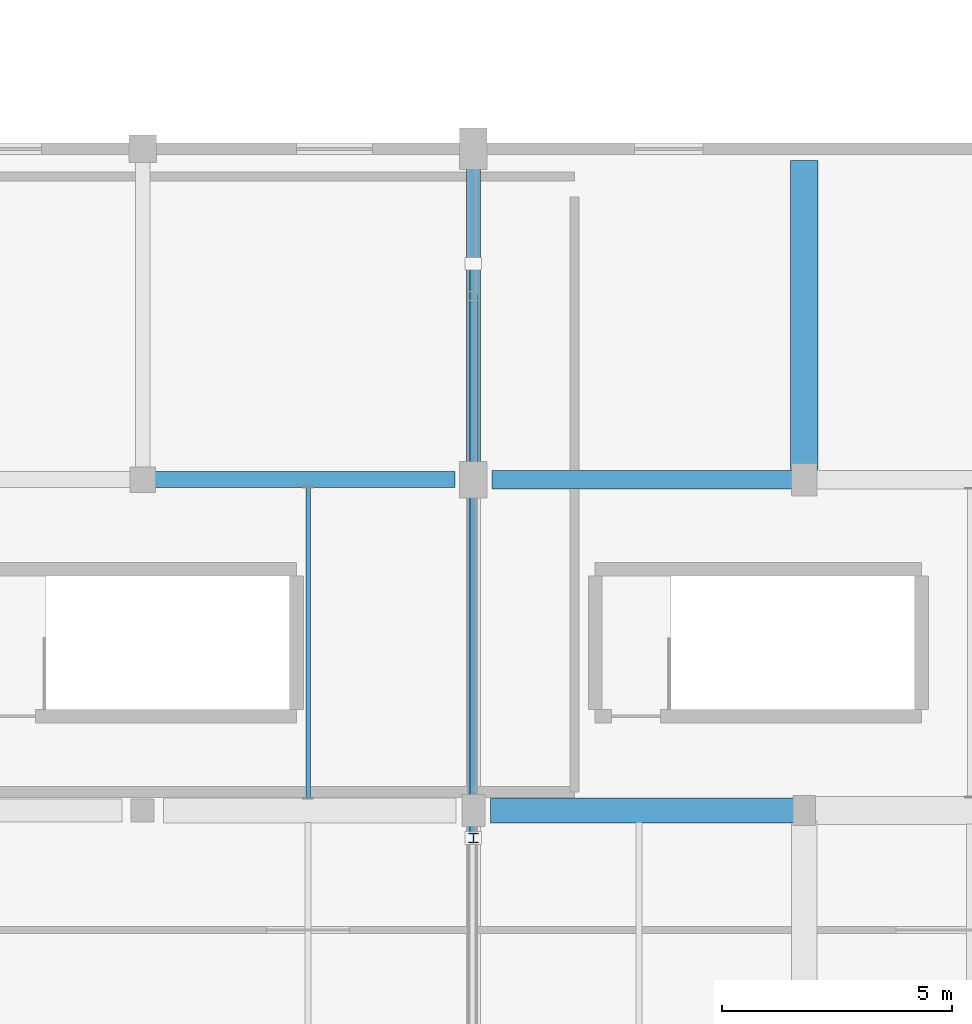
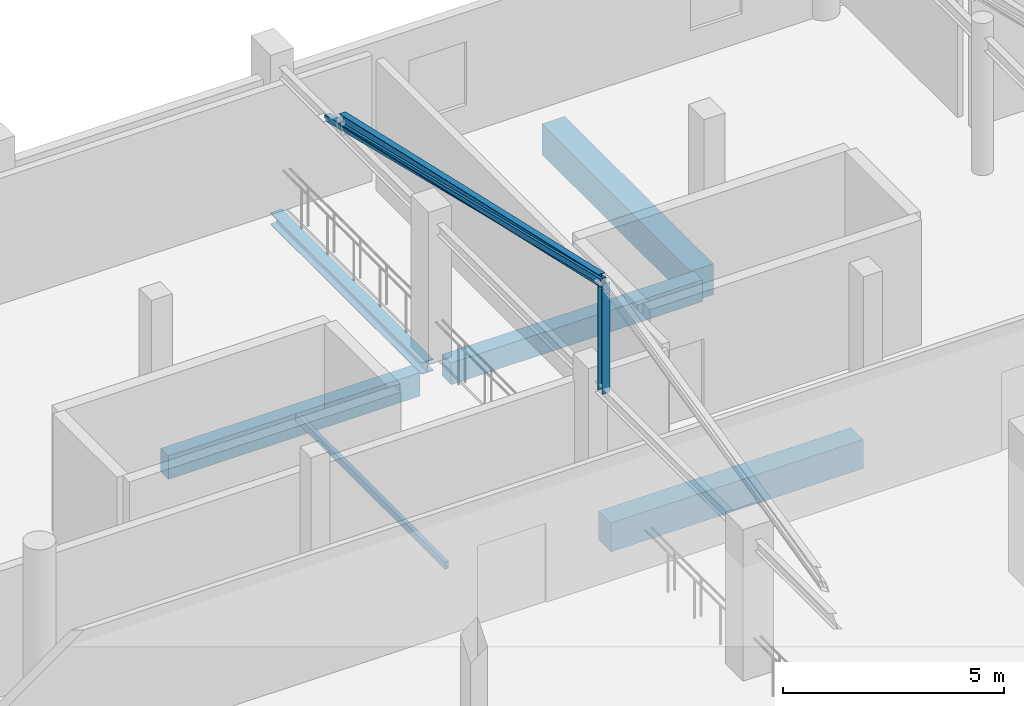
# One storey, part 10 of 41: 7 beams, 2 members.
"""IFC4 building model written with IfcOpenShell, lengths in metres."""

from ifc_helpers import new_model, si_unit, direction, frame, origin, origin_2d, place, context, subcontext, project, spatial, rectangle, hollow_rectangle, i_section, extrude, material, material_profile, profile_set, type_object, element, save


model = new_model("IFC4")

# Units and contexts
model_context = context("Model", 3, precision=1e-05, world=origin(), true_north=direction((0.0, 1.0)))
body_context = subcontext(model_context, "Body", "Model", "MODEL_VIEW")
ifc_project = project(units=[si_unit("LENGTHUNIT", "METRE"), si_unit("AREAUNIT", "SQUARE_METRE"), si_unit("VOLUMEUNIT", "CUBIC_METRE"), si_unit("PLANEANGLEUNIT", "RADIAN"), si_unit("MASSUNIT", "GRAM", prefix="KILO")], contexts=[model_context])

# Site, building, storey
site_placement = place(None, origin())
site = spatial("IfcSite", under=ifc_project, at=site_placement, CompositionType="ELEMENT")
building_placement = place(site_placement, origin())
building = spatial("IfcBuilding", under=site, at=building_placement, Name="Solanera Park Tramway Depot", CompositionType="ELEMENT")
storey_placement = place(building_placement, frame((0.0, 0.0, 13.199951171875)))
storey = spatial("IfcBuildingStorey", under=building, at=storey_placement, Name="L03", CompositionType="ELEMENT", Elevation=13.199951171875)

# Beams
ifc_material_1 = material(Name="Concrete N40 (C40/50)", Category="concrete")
ifc_material_profile_1 = material_profile(ifc_material_1, rectangle(XDim=0.35009765625, YDim=0.64990234375, at=origin_2d()), Name="RCB 350x650")
ifc_profile_set_1 = profile_set([ifc_material_profile_1], Name="Concrete N40 (C40/50)")
beam_type_1 = type_object("IfcBeamType", Name="RC Floor Beam RCB 350x650", PredefinedType="BEAM", material=ifc_profile_set_1)
beam_1_placement = place(storey_placement, frame((144.22509765625, 25.199951171875, -0.654052734375), z_axis=(1.0, 0.0, 0.0), x_axis=(0.0, 1.0, 0.0)))
element("IfcBeam", 1, at=beam_1_placement, inside=storey, type_object=beam_type_1, Name="L03 Primary X-Girder RCB 350x650 #0229", PredefinedType="BEAM", context=body_context, shape_type="SweptSolid", body=[
    extrude(rectangle(XDim=0.35009765625, YDim=0.64990234375, at=origin_2d()), origin(), (0.0, 0.0, 1.0), 6.574951171875),
])
ifc_material_2 = material(Name="Concrete N40 (C40/50)", Category="concrete")
ifc_material_profile_2 = material_profile(ifc_material_2, rectangle(XDim=0.39990234375, YDim=0.60009765625, at=origin_2d()), Name="RCB 400x600")
ifc_profile_set_2 = profile_set([ifc_material_profile_2], Name="Concrete N40 (C40/50)")
beam_type_2 = type_object("IfcBeamType", Name="RC Floor Beam RCB 400x600", PredefinedType="BEAM", material=ifc_profile_set_2)
beam_2_placement = place(storey_placement, frame((151.60009765625, 25.199951171875, -0.62890625), z_axis=(1.0, 0.0, 0.0), x_axis=(0.0, 1.0, 0.0)))
element("IfcBeam", 2, at=beam_2_placement, inside=storey, type_object=beam_type_2, Name="L03 Primary X-Girder RCB 400x600 #0230", PredefinedType="BEAM", context=body_context, shape_type="SweptSolid", body=[
    extrude(rectangle(XDim=0.39990234375, YDim=0.60009765625, at=origin_2d()), origin(), (0.0, 0.0, 1.0), 6.574951171875),
])
ifc_material_3 = material(Name="Concrete N40 (C40/50)", Category="concrete")
ifc_material_profile_3 = material_profile(ifc_material_3, rectangle(XDim=0.550048828125, YDim=0.800048828125, at=origin_2d()), Name="RCB 550x800")
ifc_profile_set_3 = profile_set([ifc_material_profile_3], Name="Concrete N40 (C40/50)")
beam_type_3 = type_object("IfcBeamType", Name="RC Floor Beam RCB 550x800", PredefinedType="BEAM", material=ifc_profile_set_3)
beam_3_placement = place(storey_placement, frame((151.574951171875, 18.0, -0.72900390625), z_axis=(1.0, 0.0, 0.0), x_axis=(0.0, 1.0, 0.0)))
element("IfcBeam", 3, at=beam_3_placement, inside=storey, type_object=beam_type_3, Name="L03 Primary X-Girder RCB 550x800 #0219", PredefinedType="BEAM", context=body_context, shape_type="SweptSolid", body=[
    extrude(rectangle(XDim=0.550048828125, YDim=0.800048828125, at=origin_2d()), origin(), (0.0, 0.0, 1.0), 6.60009765625),
])
ifc_material_4 = material(Name="Concrete N40 (C40/50)", Category="concrete")
ifc_material_profile_4 = material_profile(ifc_material_4, rectangle(XDim=0.60009765625, YDim=0.85009765625, at=origin_2d()), Name="RCB 600x850")
ifc_profile_set_4 = profile_set([ifc_material_profile_4], Name="Concrete N40 (C40/50)")
beam_type_4 = type_object("IfcBeamType", Name="RC Floor Beam RCB 600x850", PredefinedType="BEAM", material=ifc_profile_set_4)
beam_4_placement = place(storey_placement, frame((158.39990234375, 25.425048828125, -0.75390625), z_axis=(0.0, 1.0, 0.0), x_axis=(-1.0, 0.0, 0.0)))
element("IfcBeam", 4, at=beam_4_placement, inside=storey, type_object=beam_type_4, Name="L03 Primary Y-Girder RCB 600x850 #0243", PredefinedType="BEAM", context=body_context, shape_type="SweptSolid", body=[
    extrude(rectangle(XDim=0.60009765625, YDim=0.85009765625, at=origin_2d()), origin(), (0.0, 0.0, 1.0), 6.724853515625),
])

# Member
ifc_material_5 = material(Name="Steel AS/NZS 3679.1 Grade 350", Category="steel")
ifc_material_profile_5 = material_profile(ifc_material_5, i_section(OverallWidth=0.205078125, OverallDepth=0.209716796875, WebThickness=0.00927734375, FlangeThickness=0.01416015625, at=origin_2d()), Name="200UC59.5")
ifc_profile_set_5 = profile_set([ifc_material_profile_5], Name="Steel AS/NZS 3679.1 Grade 350")
member_type_1 = type_object("IfcMemberType", Name="Roof Gantry Compression Strut 200UC59.5", PredefinedType="STRUT", material=ifc_profile_set_5)
member_1_placement = place(storey_placement, frame((151.199951171875, 17.39990234375, 3.646484375), z_axis=(0.0, 0.0, 1.0), x_axis=(1.0, 0.0, 0.0)))
element("IfcMember", 5, at=member_1_placement, inside=storey, type_object=member_type_1, Name="Hip ROOF TRUSS King Post #0130", PredefinedType="STRUT", context=body_context, shape_type="SweptSolid", body=[
    extrude(i_section(OverallWidth=0.205078125, OverallDepth=0.209716796875, WebThickness=0.00927734375, FlangeThickness=0.01416015625, at=origin_2d()), origin(), (0.0, 0.0, 1.0), 3.037109375),
])

# Beams
ifc_material_6 = material(Name="Steel AS/NZS 3679.1 Grade 350", Category="steel")
ifc_material_profile_6 = material_profile(ifc_material_6, i_section(OverallWidth=0.166015625, OverallDepth=0.30712890625, WebThickness=0.006591796875, FlangeThickness=0.01171875, at=origin_2d()), Name="310UB46.2")
ifc_profile_set_6 = profile_set([ifc_material_profile_6], Name="Steel AS/NZS 3679.1 Grade 350")
beam_type_5 = type_object("IfcBeamType", Name="Steel Beam 310UB46.2", PredefinedType="BEAM", material=ifc_profile_set_6)
beam_5_placement = place(storey_placement, frame((151.199951171875, 17.4599609375, 6.68359375), z_axis=(0.0, 0.975101572759, -0.221758704009), x_axis=(-1.0, 0.0, 0.0)))
element("IfcBeam", 6, at=beam_5_placement, inside=storey, type_object=beam_type_5, Name="L03 Hip ROOF TRUSS Rafter 310UB46.2 #1070", PredefinedType="BEAM", context=body_context, shape_type="SweptSolid", body=[
    extrude(i_section(OverallWidth=0.166015625, OverallDepth=0.30712890625, WebThickness=0.006591796875, FlangeThickness=0.01171875, at=origin_2d()), origin(), (0.0, 0.0, 1.0), 12.039794921875),
])
ifc_material_7 = material(Name="Steel AS/NZS 3679.1 Grade 350", Category="steel")
ifc_material_profile_7 = material_profile(ifc_material_7, i_section(OverallWidth=0.310546875, OverallDepth=0.3271484375, WebThickness=0.015625, FlangeThickness=0.02490234375, at=origin_2d()), Name="310UC158")
ifc_profile_set_7 = profile_set([ifc_material_profile_7], Name="Steel AS/NZS 3679.1 Grade 350")
beam_type_6 = type_object("IfcBeamType", Name="Steel Beam 310UC158", PredefinedType="BEAM", material=ifc_profile_set_7)
beam_6_placement = place(storey_placement, frame((151.199951171875, 25.3798828125, -0.52001953125), z_axis=(0.0, 1.0, 0.0), x_axis=(-1.0, 0.0, 0.0)))
element("IfcBeam", 7, at=beam_6_placement, inside=storey, type_object=beam_type_6, Name="L03 Transfer Truss Backspan Chord 310UC158 #0329", PredefinedType="BEAM", context=body_context, shape_type="SweptSolid", body=[
    extrude(i_section(OverallWidth=0.310546875, OverallDepth=0.3271484375, WebThickness=0.015625, FlangeThickness=0.02490234375, at=origin_2d()), origin(), (0.0, 0.0, 1.0), 6.840087890625),
])
ifc_material_8 = material(Name="Steel AS/NZS 1163 Grade C350L0", Category="steel")
ifc_material_profile_8 = material_profile(ifc_material_8, hollow_rectangle(XDim=0.10009765625, YDim=0.199951171875, WallThickness=0.006103515625, at=origin_2d()), Name="200x100x6.0 RHS")
ifc_profile_set_8 = profile_set([ifc_material_profile_8], Name="Steel AS/NZS 1163 Grade C350L0")
beam_type_7 = type_object("IfcBeamType", Name="Steel Joist Purlin 200x100x6.0 RHS", PredefinedType="JOIST", material=ifc_profile_set_8)
beam_7_placement = place(storey_placement, frame((147.60009765625, 18.26708984375, -0.428955078125), z_axis=(0.0, 1.0, 0.0), x_axis=(-1.0, 0.0, 0.0)))
element("IfcBeam", 8, at=beam_7_placement, inside=storey, type_object=beam_type_7, Name="L03 Secondary Floor Joist 200x100x6.0 RHS #0274", PredefinedType="JOIST", context=body_context, shape_type="SweptSolid", body=[
    extrude(hollow_rectangle(XDim=0.10009765625, YDim=0.199951171875, WallThickness=0.006103515625, at=origin_2d()), origin(), (0.0, 0.0, 1.0), 6.765869140625),
])

# Member
ifc_material_9 = material(Name="Steel AS/NZS 1163 Grade C350L0", Category="steel")
ifc_material_profile_9 = material_profile(ifc_material_9, hollow_rectangle(XDim=0.14990234375, YDim=0.14990234375, WallThickness=0.006103515625, at=origin_2d()), Name="150x150x6.0 SHS")
ifc_profile_set_9 = profile_set([ifc_material_profile_9], Name="Steel AS/NZS 1163 Grade C350L0")
member_type_2 = type_object("IfcMemberType", Name="Truss and Frame Brace 150x150x6.0 SHS", PredefinedType="BRACE", material=ifc_profile_set_9)
member_2_placement = place(storey_placement, frame((151.199951171875, 29.89990234375, 3.646484375), z_axis=(0.0, -0.97172882714, 0.236099738469), x_axis=(1.0, 0.0, 0.0)))
element("IfcMember", 9, at=member_2_placement, inside=storey, type_object=member_type_2, Name="Hip ROOF TRUSS Web #0454", PredefinedType="BRACE", context=body_context, shape_type="SweptSolid", body=[
    extrude(hollow_rectangle(XDim=0.14990234375, YDim=0.14990234375, WallThickness=0.006103515625, at=origin_2d()), origin(), (0.0, 0.0, 1.0), 12.86376953125),
])

save(model, "model.ifc")
